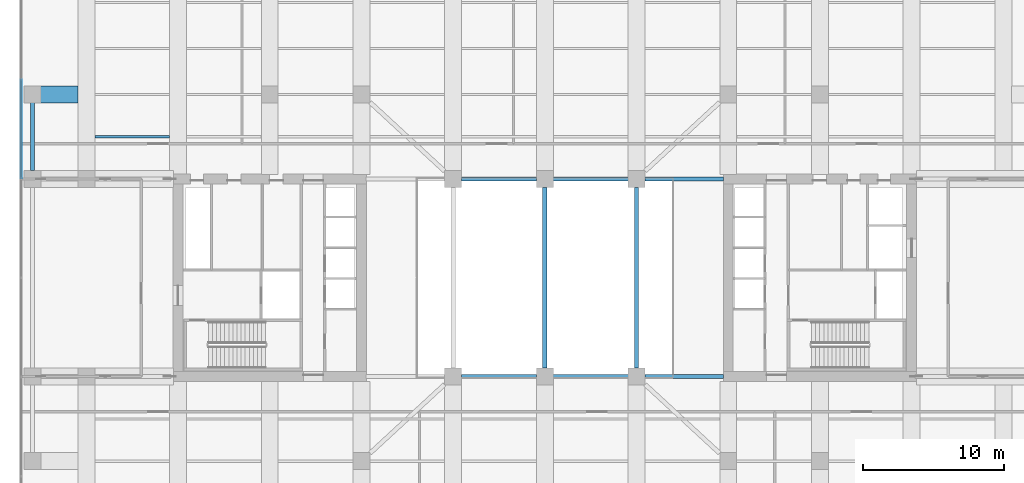
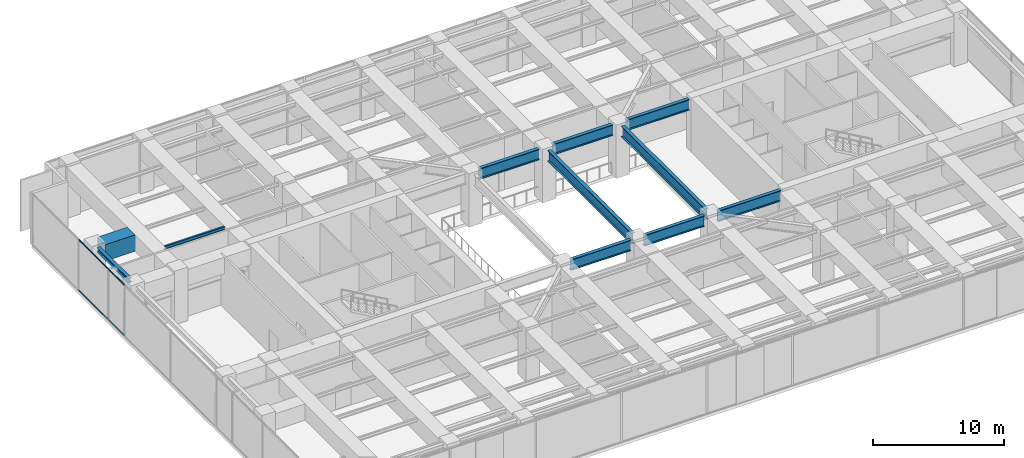
# One storey, part 7 of 28: 11 beams, 2 members, 1 element without a shape of its own.
"""IFC4 building model written with IfcOpenShell, lengths in metres."""

import ifcopenshell
import ifcopenshell.guid

model = None  # the IFC model being written
_history = None  # IfcOwnerHistory: only IFC2X3 demands one
_inside = {}  # id of a spatial element -> (the spatial element, [elements in it])
_under = {}  # id of a project, library or spatial element -> (it, [spatial elements below it])
_declared = {}  # id of a project -> (the project, [libraries it declares])
_typed = {}  # id of a type object -> (the type object, [elements of that type])
_made_of = {}  # id of a material, layer set ... -> (it, [elements and type objects made of it])


def new_model(schema):
    """Start an empty IFC model of exactly this schema.

    Asked for "IFC4X3", IfcOpenShell would pick the latest addendum, in which some entities
    have other attributes; the version numbers below select the first issue.
    IFC2X3 requires an IfcOwnerHistory on every rooted entity: one is made here for all.
    """
    global model, _history
    if schema == "IFC4X3":
        model = ifcopenshell.file(schema_version=(4, 3, 0, 0))
    else:
        model = ifcopenshell.file(schema=schema)
    _inside.clear()
    _under.clear()
    _declared.clear()
    _typed.clear()
    _made_of.clear()
    _history = None
    if model.schema == "IFC2X3":
        org = make("IfcOrganization", Name="unknown")
        user = make(
            "IfcPersonAndOrganization",
            ThePerson=make("IfcPerson", FamilyName="unknown"),
            TheOrganization=org,
        )
        app = make(
            "IfcApplication",
            ApplicationDeveloper=org,
            Version="unknown",
            ApplicationFullName="unknown",
            ApplicationIdentifier="unknown",
        )
        _history = make(
            "IfcOwnerHistory",
            OwningUser=user,
            OwningApplication=app,
            ChangeAction="ADDED",
            CreationDate=0,
        )
    return model


def make(cls, **values):
    """One entity of the class cls with the attributes given. An attribute that is None is left unset."""
    return model.create_entity(
        cls, **{name: value for name, value in values.items() if value is not None}
    )


def rooted(cls, **values):
    """An entity with a GlobalId (a new one), such as an element, a storey or a relation."""
    return make(cls, GlobalId=ifcopenshell.guid.new(), OwnerHistory=_history, **values)


def si_unit(unit_type, name, prefix=None):
    """IfcSIUnit, for example si_unit("LENGTHUNIT", "METRE", prefix="MILLI")."""
    return make("IfcSIUnit", UnitType=unit_type, Prefix=prefix, Name=name)


def assignment(units):
    """IfcUnitAssignment: the units of a project."""
    return None if units is None else make("IfcUnitAssignment", Units=units)


def point(xyz):
    """IfcCartesianPoint."""
    return None if xyz is None else make("IfcCartesianPoint", Coordinates=xyz)


def direction(xyz):
    """IfcDirection."""
    return None if xyz is None else make("IfcDirection", DirectionRatios=xyz)


def frame(location, z_axis=None, x_axis=None):
    """IfcAxis2Placement3D, a coordinate frame: its origin and axes. An axis left out is left unset."""
    return make(
        "IfcAxis2Placement3D",
        Location=point(location),
        Axis=direction(z_axis),
        RefDirection=direction(x_axis),
    )


def frame_2d(location, x_axis=None):
    """IfcAxis2Placement2D, a coordinate frame in the plane: its origin and x axis."""
    return make(
        "IfcAxis2Placement2D", Location=point(location), RefDirection=direction(x_axis)
    )


def origin():
    """The frame at (0, 0, 0) with its axes left unset."""
    return frame((0.0, 0.0, 0.0))


def origin_2d():
    """The frame at (0, 0) in the plane with its x axis left unset."""
    return frame_2d((0.0, 0.0))


def place(relative_to, where):
    """IfcLocalPlacement: puts the frame where relative to a parent placement (None: the world)."""
    return make(
        "IfcLocalPlacement", PlacementRelTo=relative_to, RelativePlacement=where
    )


def context(
    kind, dimensions, precision=None, world=None, true_north=None, identifier=None
):
    """IfcGeometricRepresentationContext, for example the 3D "Model" context."""
    return make(
        "IfcGeometricRepresentationContext",
        ContextIdentifier=identifier,
        ContextType=kind,
        CoordinateSpaceDimension=dimensions,
        Precision=precision,
        WorldCoordinateSystem=world,
        TrueNorth=true_north,
    )


def subcontext(parent, identifier, kind, view, scale=None):
    """IfcGeometricRepresentationSubContext, for example "Body" below "Model"."""
    return make(
        "IfcGeometricRepresentationSubContext",
        ContextIdentifier=identifier,
        ContextType=kind,
        ParentContext=parent,
        TargetScale=scale,
        TargetView=view,
    )


def project(units=None, contexts=None):
    """IfcProject with its units and contexts."""
    return rooted(
        "IfcProject",
        Name="project",
        RepresentationContexts=contexts,
        UnitsInContext=assignment(units),
    )


def spatial(cls, under=None, at=None, **own):
    """A site, building, storey or space (cls), placed at a placement, below another one or the project."""
    s = rooted(cls, ObjectPlacement=at, **own)
    if under is not None:
        _under.setdefault(under.id(), (under, []))[1].append(s)
    return s


def profile(cls, at=None, kind="AREA", **sizes):
    """A parametric profile (cls). Its sizes go by their IFC names, for example OverallWidth=200.0."""
    return make(cls, ProfileType=kind, Position=at, **sizes)


def rectangle(**sizes):
    """IfcRectangleProfileDef."""
    return profile("IfcRectangleProfileDef", **sizes)


def i_section(**sizes):
    """IfcIShapeProfileDef."""
    return profile("IfcIShapeProfileDef", **sizes)


def extrude(swept, where, along, depth):
    """IfcExtrudedAreaSolid: the profile swept, set in the frame where, extruded along a direction by depth."""
    return make(
        "IfcExtrudedAreaSolid",
        SweptArea=swept,
        Position=where,
        ExtrudedDirection=direction(along),
        Depth=depth,
    )


def shape(context_of_items, identifier, shape_type, items):
    """IfcShapeRepresentation: the items that make up one representation, for example the "Body"."""
    return make(
        "IfcShapeRepresentation",
        ContextOfItems=context_of_items,
        RepresentationIdentifier=identifier,
        RepresentationType=shape_type,
        Items=items,
    )


def material(Name=None, Category=None):
    """IfcMaterial."""
    return make("IfcMaterial", Name=Name, Category=Category)


def layer(
    of_material, thickness, ventilated=None, Name=None, Category=None, Priority=None
):
    """IfcMaterialLayer: one layer of a wall or slab, of a material (None: an air gap)."""
    return make(
        "IfcMaterialLayer",
        Material=of_material,
        LayerThickness=thickness,
        IsVentilated=ventilated,
        Name=Name,
        Category=Category,
        Priority=Priority,
    )


def layer_set(layers, Name=None):
    """IfcMaterialLayerSet."""
    return make("IfcMaterialLayerSet", MaterialLayers=layers, LayerSetName=Name)


def material_profile(
    of_material, cross_section, Name=None, Category=None, Priority=None
):
    """IfcMaterialProfile: a cross section and its material."""
    return make(
        "IfcMaterialProfile",
        Name=Name,
        Material=of_material,
        Profile=cross_section,
        Priority=Priority,
        Category=Category,
    )


def profile_set(profiles, Name=None, composite=None):
    """IfcMaterialProfileSet."""
    return make(
        "IfcMaterialProfileSet",
        Name=Name,
        MaterialProfiles=profiles,
        CompositeProfile=composite,
    )


def made_of(thing, what):
    """Note that an element or type object is made of a material, layer set ...; save() writes the relation."""
    if what is not None:
        _made_of.setdefault(what.id(), (what, []))[1].append(thing)
    return thing


def type_object(cls, material=None, **own):
    """A type object (cls), such as IfcWallType, which elements share."""
    return made_of(rooted(cls, **own), material)


def element(
    cls,
    number,
    at=None,
    inside=None,
    cuts=None,
    type_object=None,
    material=None,
    context=None,
    identifier="Body",
    shape_type=None,
    held_by="IfcProductDefinitionShape",
    body=None,
    shapes=None,
    **own,
):
    """One element of the class cls, such as IfcWall. Its Tag is "e" and its number.

    at: its placement. inside: the storey or other place that contains it. cuts: it is an
    opening in that element (IfcRelVoidsElement). A single representation is given by context,
    identifier, shape_type and body (its items); several are given by shapes. held_by: the class
    of the entity that holds the representations. save() writes the other relations.
    """
    e = rooted(cls, Tag="e%d" % number, ObjectPlacement=at, **own)
    if body is not None:
        shapes = [shape(context, identifier, shape_type, body)]
    if shapes is not None:
        e.Representation = make(held_by, Representations=shapes)
    if inside is not None:
        _inside.setdefault(inside.id(), (inside, []))[1].append(e)
    if cuts is not None:
        rooted(
            "IfcRelVoidsElement", RelatingBuildingElement=cuts, RelatedOpeningElement=e
        )
    if type_object is not None:
        _typed.setdefault(type_object.id(), (type_object, []))[1].append(e)
    return made_of(e, material)


def aggregate(whole, parts):
    """IfcRelAggregates: a whole, such as a stair, and the parts it consists of."""
    return rooted("IfcRelAggregates", RelatingObject=whole, RelatedObjects=parts)


def save(model, path):
    """Write the relations noted so far, then the file.

    IfcRelAggregates (storeys below a building ...), IfcRelContainedInSpatialStructure (elements
    in a storey), IfcRelDefinesByType, IfcRelAssociatesMaterial and IfcRelDeclares: one each for
    every whole, place, type object, material and project.
    """
    for whole, parts in _under.values():
        aggregate(whole, parts)
    for where, things in _inside.values():
        rooted(
            "IfcRelContainedInSpatialStructure",
            RelatedElements=things,
            RelatingStructure=where,
        )
    for kind, things in _typed.values():
        rooted("IfcRelDefinesByType", RelatedObjects=things, RelatingType=kind)
    for what, things in _made_of.values():
        rooted("IfcRelAssociatesMaterial", RelatedObjects=things, RelatingMaterial=what)
    for by, libraries in _declared.values():
        rooted("IfcRelDeclares", RelatingContext=by, RelatedDefinitions=libraries)
    model.write(path)


model = new_model("IFC4")

# Units and contexts
model_context = context("Model", 3, precision=1e-05, world=origin(), true_north=direction((0.0, 1.0)))
body_context = subcontext(model_context, "Body", "Model", "MODEL_VIEW")
ifc_project = project(units=[si_unit("LENGTHUNIT", "METRE"), si_unit("AREAUNIT", "SQUARE_METRE"), si_unit("VOLUMEUNIT", "CUBIC_METRE"), si_unit("PLANEANGLEUNIT", "RADIAN"), si_unit("MASSUNIT", "GRAM", prefix="KILO")], contexts=[model_context])

# Site, building, storey
site_placement = place(None, origin())
site = spatial("IfcSite", under=ifc_project, at=site_placement, CompositionType="ELEMENT")
building_placement = place(site_placement, origin())
building = spatial("IfcBuilding", under=site, at=building_placement, Name="Putna Gate Headquarters", CompositionType="ELEMENT")
storey_placement = place(building_placement, frame((0.0, 0.0, 139.199951171875)))
storey = spatial("IfcBuildingStorey", under=building, at=storey_placement, Name="L34", CompositionType="ELEMENT", Elevation=139.199951171875)

# Beams
ifc_material_1 = material(Name="Steel S355J2", Category="steel")
ifc_material_profile_1 = material_profile(ifc_material_1, i_section(OverallWidth=0.14990234375, OverallDepth=0.300048828125, WebThickness=0.007080078125, FlangeThickness=0.0107421875, at=origin_2d()), Name="Steel S355J2")
ifc_profile_set_1 = profile_set([ifc_material_profile_1], Name="Steel S355J2")
beam_type_1 = type_object("IfcBeamType", Name="BM-SEC-Z3-IPE300", PredefinedType="JOIST", material=ifc_profile_set_1)
beam_1_placement = place(storey_placement, frame((7.10400390625, 36.0, 4.6220703125), z_axis=(1.0, 0.0, 0.0), x_axis=(0.0, 1.0, 0.0)))
element("IfcBeam", 1, at=beam_1_placement, inside=storey, type_object=beam_type_1, Name="L34 North Secondary Beam 1", PredefinedType="JOIST", context=body_context, shape_type="SweptSolid", body=[
    extrude(i_section(OverallWidth=0.14990234375, OverallDepth=0.300048828125, WebThickness=0.007080078125, FlangeThickness=0.0107421875, at=origin_2d()), origin(), (0.0, 0.0, 1.0), 5.2919921875),
])
ifc_material_profile_2 = material_profile(ifc_material_1, i_section(OverallWidth=0.300048828125, OverallDepth=0.39990234375, WebThickness=0.013427734375, FlangeThickness=0.02392578125, at=origin_2d()), Name="Steel S355J2")
ifc_profile_set_2 = profile_set([ifc_material_profile_2], Name="Steel S355J2")
beam_type_2 = type_object("IfcBeamType", Name="BM-SPAN-Z3-HEB400", PredefinedType="SPANDREL", material=ifc_profile_set_2)
beam_2_placement = place(storey_placement, frame((2.679931640625, 33.587890625, 4.572021484375), z_axis=(0.0, 1.0, 0.0), x_axis=(-1.0, 0.0, 0.0)))
element("IfcBeam", 2, at=beam_2_placement, inside=storey, type_object=beam_type_2, Name="L34 W End Spandrel 3", PredefinedType="SPANDREL", context=body_context, shape_type="SweptSolid", body=[
    extrude(i_section(OverallWidth=0.300048828125, OverallDepth=0.39990234375, WebThickness=0.013427734375, FlangeThickness=0.02392578125, at=origin_2d()), origin(), (0.0, 0.0, 1.0), 4.82421875),
])
ifc_material_2 = material(Name="Steel S460M", Category="steel")
ifc_material_profile_3 = material_profile(ifc_material_2, i_section(OverallWidth=0.302001953125, OverallDepth=1.008056640625, WebThickness=0.02099609375, FlangeThickness=0.0400390625, at=origin_2d()), Name="Steel S460M")
ifc_profile_set_3 = profile_set([ifc_material_profile_3], Name="Steel S460M")
beam_type_3 = type_object("IfcBeamType", Name="BM-TG-HEM1000", PredefinedType="USERDEFINED", material=ifc_profile_set_3)
for number, where, z_axis, x_axis, name in (
    (3, (33.087890625, 19.0, 4.26806640625), (1.0, 0.0, 0.0), (0.0, 1.0, 0.0), "L34 Atrium Edge Beam AS2"),
    (4, (39.587890625, 19.0, 4.26806640625), (1.0, 0.0, 0.0), (0.0, 1.0, 0.0), "L34 Atrium Edge Beam AS3"),
):
    element("IfcBeam", number, at=place(storey_placement, frame(where, z_axis=z_axis, x_axis=x_axis)), inside=storey, type_object=beam_type_3, Name=name, ObjectType="GIRDER", PredefinedType="USERDEFINED", context=body_context, shape_type="SweptSolid", body=[
        extrude(i_section(OverallWidth=0.302001953125, OverallDepth=1.008056640625, WebThickness=0.02099609375, FlangeThickness=0.0400390625, at=origin_2d()), origin(), (0.0, 0.0, 1.0), 5.32421875),
    ])
beam_3_placement = place(storey_placement, frame((46.087890625, 19.0, 4.26806640625), z_axis=(1.0, 0.0, 0.0), x_axis=(0.0, 1.0, 0.0)))
element("IfcBeam", 5, at=beam_3_placement, inside=storey, type_object=beam_type_3, Name="L34 Atrium Edge Beam AS4", ObjectType="GIRDER", PredefinedType="USERDEFINED", context=body_context, shape_type="SweptSolid", body=[
    extrude(i_section(OverallWidth=0.302001953125, OverallDepth=1.008056640625, WebThickness=0.02099609375, FlangeThickness=0.0400390625, at=origin_2d()), origin(), (0.0, 0.0, 1.0), 5.5771484375),
])
for number, where, z_axis, x_axis, name in (
    (6, (33.087890625, 33.0, 4.26806640625), (1.0, 0.0, 0.0), (0.0, 1.0, 0.0), "L34 Atrium Edge Beam AN2"),
    (7, (39.587890625, 33.0, 4.26806640625), (1.0, 0.0, 0.0), (0.0, 1.0, 0.0), "L34 Atrium Edge Beam AN3"),
):
    element("IfcBeam", number, at=place(storey_placement, frame(where, z_axis=z_axis, x_axis=x_axis)), inside=storey, type_object=beam_type_3, Name=name, ObjectType="GIRDER", PredefinedType="USERDEFINED", context=body_context, shape_type="SweptSolid", body=[
        extrude(i_section(OverallWidth=0.302001953125, OverallDepth=1.008056640625, WebThickness=0.02099609375, FlangeThickness=0.0400390625, at=origin_2d()), origin(), (0.0, 0.0, 1.0), 5.32421875),
    ])
beam_4_placement = place(storey_placement, frame((46.087890625, 33.0, 4.26806640625), z_axis=(1.0, 0.0, 0.0), x_axis=(0.0, 1.0, 0.0)))
element("IfcBeam", 8, at=beam_4_placement, inside=storey, type_object=beam_type_3, Name="L34 Atrium Edge Beam AN4", ObjectType="GIRDER", PredefinedType="USERDEFINED", context=body_context, shape_type="SweptSolid", body=[
    extrude(i_section(OverallWidth=0.302001953125, OverallDepth=1.008056640625, WebThickness=0.02099609375, FlangeThickness=0.0400390625, at=origin_2d()), origin(), (0.0, 0.0, 1.0), 5.5771484375),
])
for number, where, z_axis, x_axis, name in (
    (9, (39.0, 19.587890625, 4.26806640625), (0.0, 1.0, 0.0), (-1.0, 0.0, 0.0), "L34 Plant Floor Central Tie Girder X39"),
    (10, (45.5, 19.587890625, 4.26806640625), (0.0, 1.0, 0.0), (-1.0, 0.0, 0.0), "L34 Plant Floor Central Tie Girder X45"),
):
    element("IfcBeam", number, at=place(storey_placement, frame(where, z_axis=z_axis, x_axis=x_axis)), inside=storey, type_object=beam_type_3, Name=name, ObjectType="GIRDER", PredefinedType="USERDEFINED", context=body_context, shape_type="SweptSolid", body=[
        extrude(i_section(OverallWidth=0.302001953125, OverallDepth=1.008056640625, WebThickness=0.02099609375, FlangeThickness=0.0400390625, at=origin_2d()), origin(), (0.0, 0.0, 1.0), 12.82421875),
    ])
ifc_material_3 = material(Name="Concrete C50/60", Category="concrete")
ifc_material_profile_4 = material_profile(ifc_material_3, rectangle(XDim=1.199951171875, YDim=1.52001953125, at=origin_2d()), Name="Concrete C50/60")
ifc_profile_set_4 = profile_set([ifc_material_profile_4], Name="Concrete C50/60")
beam_type_4 = type_object("IfcBeamType", Name="BM-TG-RC1520", PredefinedType="USERDEFINED", material=ifc_profile_set_4)
beam_5_placement = place(storey_placement, frame((3.26806640625, 39.0, 4.011962890625), z_axis=(1.0, 0.0, 0.0), x_axis=(0.0, 1.0, 0.0)))
element("IfcBeam", 11, at=beam_5_placement, inside=storey, type_object=beam_type_4, Name="L34 West Setback Girder Y39", ObjectType="GIRDER", PredefinedType="USERDEFINED", context=body_context, shape_type="SweptSolid", body=[
    extrude(rectangle(XDim=1.199951171875, YDim=1.52001953125, at=origin_2d()), origin(), (0.0, 0.0, 1.0), 2.64697265625),
])

# Curtain wall, members
ifc_material_4 = material(Name="Anodised bronze aluminium curtain wall", Category="aluminium")
ifc_layer = layer(ifc_material_4, 0.159912109375)
ifc_layer_set = layer_set([ifc_layer], Name="Anodised bronze aluminium curtain wall")
curtain_wall_type = type_object("IfcCurtainWallType", Name="CW-SYS-CRN", PredefinedType="USERDEFINED", material=ifc_layer_set)
curtain_wall_placement = place(storey_placement, origin())
curtain_wall = element("IfcCurtainWall", 12, at=curtain_wall_placement, inside=storey, type_object=curtain_wall_type, Name="L34 Acoustic Louvre West Enclosure", ObjectType="STICK CURTAIN WALL", PredefinedType="USERDEFINED")
ifc_material_5 = material(Name="Anodised bronze aluminium EN AW-6060", Category="aluminium")
ifc_material_profile_5 = material_profile(ifc_material_5, rectangle(XDim=0.06494140625, YDim=0.1201171875, at=origin_2d()), Name="Anodised bronze aluminium EN AW-6060")
ifc_profile_set_5 = profile_set([ifc_material_profile_5], Name="Anodised bronze aluminium EN AW-6060")
member_type = type_object("IfcMemberType", Name="TRAN-CWT-CR", PredefinedType="USERDEFINED", material=ifc_profile_set_5)
member_1_placement = place(storey_placement, frame((1.8798828125, 33.06591796875, 0.032470703125), z_axis=(0.0, 1.0, 0.0), x_axis=(-1.0, 0.0, 0.0)))
member_1 = element("IfcMember", 13, at=member_1_placement, type_object=member_type, Name="CWS-CR transom 5.1", ObjectType="TRANSOM", PredefinedType="USERDEFINED", context=body_context, shape_type="SweptSolid", body=[
    extrude(rectangle(XDim=0.06494140625, YDim=0.1201171875, at=origin_2d()), origin(), (0.0, 0.0, 1.0), 6.96826171875),
])
member_2_placement = place(storey_placement, frame((1.8798828125, 33.06591796875, 4.739501953125), z_axis=(0.0, 1.0, 0.0), x_axis=(-1.0, 0.0, 0.0)))
member_2 = element("IfcMember", 14, at=member_2_placement, type_object=member_type, Name="CWS-CR transom 5.2", ObjectType="TRANSOM", PredefinedType="USERDEFINED", context=body_context, shape_type="SweptSolid", body=[
    extrude(rectangle(XDim=0.06494140625, YDim=0.1201171875, at=origin_2d()), origin(), (0.0, 0.0, 1.0), 6.96826171875),
])
aggregate(curtain_wall, [member_1, member_2])

save(model, "model.ifc")
